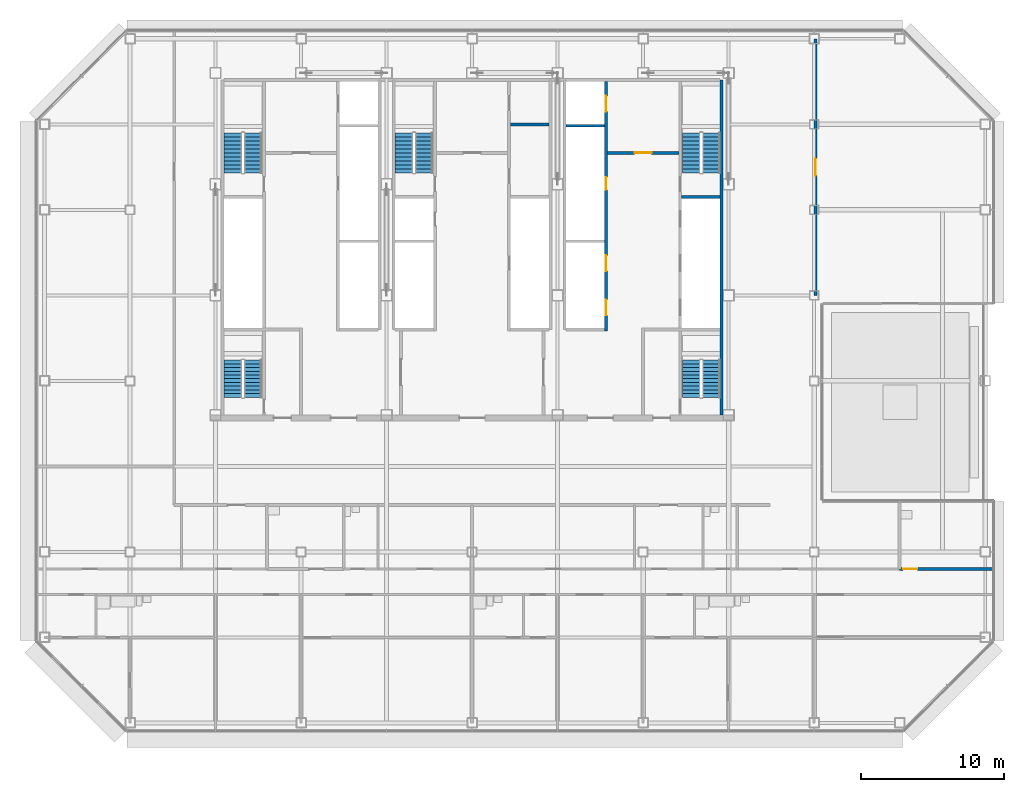
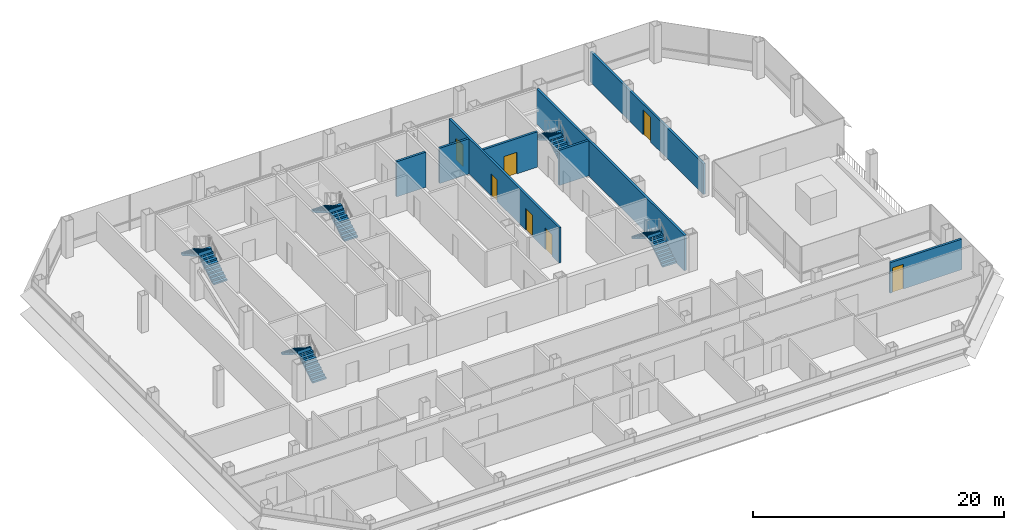
# One storey, part 22 of 27: 10 stair flights, 8 walls, 7 doors, 7 openings, 5 elements without a shape of their own.
"""IFC4 building model written with IfcOpenShell, lengths in metres."""

from ifc_helpers import new_model, si_unit, direction, frame, frame_2d, origin, place, context, subcontext, project, spatial, polyline, rectangle, outline, extrude, material, layer, layer_set, type_object, element, fill, aggregate, save


model = new_model("IFC4")

# Units and contexts
model_context = context("Model", 3, precision=1e-05, world=origin(), true_north=direction((0.0, 1.0)))
body_context = subcontext(model_context, "Body", "Model", "MODEL_VIEW")
ifc_project = project(units=[si_unit("LENGTHUNIT", "METRE"), si_unit("AREAUNIT", "SQUARE_METRE"), si_unit("VOLUMEUNIT", "CUBIC_METRE"), si_unit("PLANEANGLEUNIT", "RADIAN"), si_unit("MASSUNIT", "GRAM", prefix="KILO")], contexts=[model_context])

# Site, building, storey
site_placement = place(None, origin())
site = spatial("IfcSite", under=ifc_project, at=site_placement, CompositionType="ELEMENT")
building_placement = place(site_placement, origin())
building = spatial("IfcBuilding", under=site, at=building_placement, Name="Sorahane Residences", CompositionType="ELEMENT")
storey_placement = place(building_placement, frame((0.0, 0.0, 167.199951171875)))
storey = spatial("IfcBuildingStorey", under=building, at=storey_placement, Name="L38", CompositionType="ELEMENT", Elevation=167.199951171875)

# Wall
ifc_material_1 = material(Name="Concrete C30", Category="concrete")
ifc_layer_1 = layer(ifc_material_1, 0.199951171875)
ifc_layer_set_1 = layer_set([ifc_layer_1], Name="Core face wall 200 EI 180")
wall_type_1 = type_object("IfcWallType", Name="Core face wall 200 EI 180", PredefinedType="SOLIDWALL", material=ifc_layer_set_1)
wall_1_placement = place(storey_placement, frame((41.5, 21.60009765625, 0.0), z_axis=(0.0, 0.0, 1.0), x_axis=(0.0, 1.0, 0.0)))
element("IfcWall", 1, at=wall_1_placement, inside=storey, type_object=wall_type_1, Name="L38 core face wall", PredefinedType="SOLIDWALL", context=body_context, shape_type="SweptSolid", body=[
    extrude(rectangle(XDim=23.5, YDim=0.199951171875, at=frame_2d((11.75, 0.0))), origin(), (0.0, 0.0, 1.0), 3.420166015625),
])

# Wall, opening, door
ifc_material_2 = material(Name="Concrete blockwork C20 wall", Category="masonry")
ifc_layer_2 = layer(ifc_material_2, 0.199951171875)
ifc_layer_set_2 = layer_set([ifc_layer_2], Name="Corridor wall 200 EI 120")
wall_type_2 = type_object("IfcWallType", Name="Corridor wall 200 EI 120", PredefinedType="SOLIDWALL", material=ifc_layer_set_2)
wall_2_placement = place(storey_placement, frame((48.10009765625, 30.0, 0.0), z_axis=(0.0, 0.0, 1.0), x_axis=(0.0, 1.0, 0.0)))
wall_2 = element("IfcWall", 2, at=wall_2_placement, inside=storey, type_object=wall_type_2, Name="L38 corridor wall", PredefinedType="SOLIDWALL", context=body_context, shape_type="SweptSolid", body=[
    extrude(rectangle(XDim=18.0, YDim=0.199951171875, at=frame_2d((9.0, 0.0))), origin(), (0.0, 0.0, 1.0), 2.969970703125),
])
opening_1_placement = place(wall_2_placement, frame((8.39990234375, 0.0, 0.0)))
opening_1 = element("IfcOpeningElement", 3, at=opening_1_placement, cuts=wall_2, Name="Opening L38-31", PredefinedType="OPENING", context=body_context, shape_type="SweptSolid", body=[
    extrude(rectangle(XDim=1.199951171875, YDim=2.39990234375, at=frame_2d((0.60009765625, 1.199951171875))), frame((0.0, 0.10986328125, 0.0), z_axis=(0.0, -1.0, 0.0), x_axis=(1.0, 0.0, 0.0)), (0.0, 0.0, 1.0), 0.219970703125),
])
ifc_material_3 = material(Name="Steel", Category="steel")
door_type_1 = type_object("IfcDoorType", Name="Lobby door 1200x2400 FD60", OperationType="NOTDEFINED", PredefinedType="DOOR", material=ifc_material_3)
door_1_placement = place(opening_1_placement, frame((1.199951171875, 0.0, 0.0), z_axis=(0.0, 0.0, 1.0), x_axis=(-1.0, 0.0, 0.0)))
door_1 = element("IfcDoor", 4, at=door_1_placement, inside=storey, type_object=door_type_1, Name="Lobby door L38-31", OperationType="SINGLE_SWING_LEFT", OverallHeight=2.39990234375, OverallWidth=1.199951171875, PredefinedType="DOOR", context=body_context, shape_type="SweptSolid", body=[
    extrude(rectangle(XDim=1.199951171875, YDim=2.39990234375, at=frame_2d((0.60009765625, 1.199951171875))), frame((0.0, 0.02490234375, 0.0), z_axis=(0.0, -1.0, 0.0), x_axis=(1.0, 0.0, 0.0)), (0.0, 0.0, 1.0), 0.050048828125),
])
fill(opening_1, door_1)

ifc_material_4 = material(Name="Concrete C30", Category="concrete")
ifc_layer_3 = layer(ifc_material_4, 0.199951171875)
ifc_layer_set_3 = layer_set([ifc_layer_3], Name="Front room wall 200 EI 120")
wall_type_3 = type_object("IfcWallType", Name="Front room wall 200 EI 120", PredefinedType="PARTITIONING", material=ifc_layer_set_3)
wall_3_placement = place(storey_placement, frame((33.5, 40.0, 0.0), z_axis=(0.0, 0.0, 1.0), x_axis=(1.0, 0.0, 0.0)))
wall_3 = element("IfcWall", 5, at=wall_3_placement, inside=storey, type_object=wall_type_3, Name="L38 front room wall", PredefinedType="PARTITIONING", context=body_context, shape_type="SweptSolid", body=[
    extrude(rectangle(XDim=5.0, YDim=0.199951171875, at=frame_2d((2.5, 0.0))), origin(), (0.0, 0.0, 1.0), 3.420166015625),
])
opening_2_placement = place(wall_3_placement, frame((1.89990234375, 0.0, 0.0)))
opening_2 = element("IfcOpeningElement", 6, at=opening_2_placement, cuts=wall_3, Name="Opening L38-C10", PredefinedType="OPENING", context=body_context, shape_type="SweptSolid", body=[
    extrude(rectangle(XDim=1.199951171875, YDim=2.10009765625, at=frame_2d((0.60009765625, 1.050048828125))), frame((0.0, 0.10986328125, 0.0), z_axis=(0.0, -1.0, 0.0), x_axis=(1.0, 0.0, 0.0)), (0.0, 0.0, 1.0), 0.219970703125),
])
ifc_material_5 = material(Name="Steel", Category="steel")
door_type_2 = type_object("IfcDoorType", Name="Front room door 1200x2100 FD120", OperationType="NOTDEFINED", PredefinedType="DOOR", material=ifc_material_5)
door_2_placement = place(opening_2_placement, frame((1.199951171875, 0.0, 0.0), z_axis=(0.0, 0.0, 1.0), x_axis=(-1.0, 0.0, 0.0)))
door_2 = element("IfcDoor", 7, at=door_2_placement, inside=storey, type_object=door_type_2, Name="Front room door Firefighting lobby FF2 front room L38", OperationType="DOUBLE_DOOR_SINGLE_SWING", OverallHeight=2.10009765625, OverallWidth=1.199951171875, PredefinedType="DOOR", context=body_context, shape_type="SweptSolid", body=[
    extrude(rectangle(XDim=1.199951171875, YDim=2.10009765625, at=frame_2d((0.60009765625, 1.050048828125))), frame((0.0, 0.02490234375, 0.0), z_axis=(0.0, -1.0, 0.0), x_axis=(1.0, 0.0, 0.0)), (0.0, 0.0, 1.0), 0.050048828125),
])
fill(opening_2, door_2)

ifc_material_6 = material(Name="Concrete blockwork C20 wall", Category="masonry")
ifc_layer_4 = layer(ifc_material_6, 0.199951171875)
ifc_layer_set_4 = layer_set([ifc_layer_4], Name="Kitchen wall 200 EI 180")
wall_type_4 = type_object("IfcWallType", Name="Kitchen wall 200 EI 180", PredefinedType="SOLIDWALL", material=ifc_layer_set_4)
wall_4_placement = place(storey_placement, frame((54.0, 10.800048828125, 0.0), z_axis=(0.0, 0.0, 1.0), x_axis=(1.0, 0.0, 0.0)))
wall_4 = element("IfcWall", 8, at=wall_4_placement, inside=storey, type_object=wall_type_4, Name="L38 kitchen wall", PredefinedType="SOLIDWALL", context=body_context, shape_type="SweptSolid", body=[
    extrude(rectangle(XDim=6.60009765625, YDim=0.199951171875, at=frame_2d((3.300048828125, 0.0))), origin(), (0.0, 0.0, 1.0), 2.969970703125),
])
opening_3_placement = place(wall_4_placement, frame((0.25, 0.0, 0.0)))
opening_3 = element("IfcOpeningElement", 9, at=opening_3_placement, cuts=wall_4, Name="Opening L38-17", PredefinedType="OPENING", context=body_context, shape_type="SweptSolid", body=[
    extrude(rectangle(XDim=1.0, YDim=2.39990234375, at=frame_2d((0.5, 1.199951171875))), frame((0.0, 0.10986328125, 0.0), z_axis=(0.0, -1.0, 0.0), x_axis=(1.0, 0.0, 0.0)), (0.0, 0.0, 1.0), 0.219970703125),
])
ifc_material_7 = material(Name="Steel", Category="steel")
door_type_3 = type_object("IfcDoorType", Name="Kitchen door 1000x2400 FD120", OperationType="NOTDEFINED", PredefinedType="DOOR", material=ifc_material_7)
door_3_placement = place(opening_3_placement, origin())
door_3 = element("IfcDoor", 10, at=door_3_placement, inside=storey, type_object=door_type_3, Name="Kitchen door L38-17", OperationType="SINGLE_SWING_RIGHT", OverallHeight=2.39990234375, OverallWidth=1.0, PredefinedType="DOOR", context=body_context, shape_type="SweptSolid", body=[
    extrude(rectangle(XDim=1.0, YDim=2.39990234375, at=frame_2d((0.5, 1.199951171875))), frame((0.0, 0.02490234375, 0.0), z_axis=(0.0, -1.0, 0.0), x_axis=(1.0, 0.0, 0.0)), (0.0, 0.0, 1.0), 0.050048828125),
])
fill(opening_3, door_3)

# Wall, openings, doors
ifc_material_8 = material(Name="Concrete C30", Category="concrete")
ifc_layer_5 = layer(ifc_material_8, 0.199951171875)
ifc_layer_set_5 = layer_set([ifc_layer_5], Name="Lift shaft wall 200 EI 120")
wall_type_5 = type_object("IfcWallType", Name="Lift shaft wall 200 EI 120", PredefinedType="SOLIDWALL", material=ifc_layer_set_5)
wall_5_placement = place(storey_placement, frame((33.39990234375, 27.5, 0.0), z_axis=(0.0, 0.0, 1.0), x_axis=(0.0, 1.0, 0.0)))
wall_5 = element("IfcWall", 11, at=wall_5_placement, inside=storey, type_object=wall_type_5, Name="L38 lift shaft wall", PredefinedType="SOLIDWALL", context=body_context, shape_type="SweptSolid", body=[
    extrude(rectangle(XDim=17.5, YDim=0.199951171875, at=frame_2d((8.75, 0.0))), origin(), (0.0, 0.0, 1.0), 3.420166015625),
])
opening_4_placement = place(wall_5_placement, frame((1.10009765625, 0.0, 0.0)))
opening_4 = element("IfcOpeningElement", 12, at=opening_4_placement, cuts=wall_5, Name="Opening L38-C14", PredefinedType="OPENING", context=body_context, shape_type="SweptSolid", body=[
    extrude(rectangle(XDim=1.10009765625, YDim=2.10009765625, at=frame_2d((0.550048828125, 1.050048828125))), frame((0.0, 0.10986328125, 0.0), z_axis=(0.0, -1.0, 0.0), x_axis=(1.0, 0.0, 0.0)), (0.0, 0.0, 1.0), 0.219970703125),
])
opening_5_placement = place(wall_5_placement, frame((4.199951171875, 0.0, 0.0)))
opening_5 = element("IfcOpeningElement", 13, at=opening_5_placement, cuts=wall_5, Name="Opening L38-C15", PredefinedType="OPENING", context=body_context, shape_type="SweptSolid", body=[
    extrude(rectangle(XDim=1.10009765625, YDim=2.10009765625, at=frame_2d((0.550048828125, 1.050048828125))), frame((0.0, 0.10986328125, 0.0), z_axis=(0.0, -1.0, 0.0), x_axis=(1.0, 0.0, 0.0)), (0.0, 0.0, 1.0), 0.219970703125),
])
opening_6_placement = place(wall_5_placement, frame((15.39990234375, 0.0, 0.0)))
opening_6 = element("IfcOpeningElement", 14, at=opening_6_placement, cuts=wall_5, Name="Opening L38-C16", PredefinedType="OPENING", context=body_context, shape_type="SweptSolid", body=[
    extrude(rectangle(XDim=1.10009765625, YDim=2.10009765625, at=frame_2d((0.550048828125, 1.050048828125))), frame((0.0, 0.10986328125, 0.0), z_axis=(0.0, -1.0, 0.0), x_axis=(1.0, 0.0, 0.0)), (0.0, 0.0, 1.0), 0.219970703125),
])
opening_7_placement = place(wall_5_placement, frame((9.89990234375, 0.0, 0.0)))
opening_7 = element("IfcOpeningElement", 15, at=opening_7_placement, cuts=wall_5, Name="Opening L38-C24", PredefinedType="OPENING", context=body_context, shape_type="SweptSolid", body=[
    extrude(rectangle(XDim=0.89990234375, YDim=2.10009765625, at=frame_2d((0.449951171875, 1.050048828125))), frame((0.0, 0.10986328125, 0.0), z_axis=(0.0, -1.0, 0.0), x_axis=(1.0, 0.0, 0.0)), (0.0, 0.0, 1.0), 0.219970703125),
])
ifc_material_9 = material(Name="Aluminium and stainless steel", Category="steel")
door_type_4 = type_object("IfcDoorType", Name="Lift landing door 1100x2100 E 60", OperationType="NOTDEFINED", PredefinedType="DOOR", material=ifc_material_9)
door_4_placement = place(opening_4_placement, origin())
door_4 = element("IfcDoor", 16, at=door_4_placement, inside=storey, type_object=door_type_4, Name="Lift landing door HR4 L38", OperationType="DOUBLE_DOOR_SLIDING", OverallHeight=2.10009765625, OverallWidth=1.10009765625, PredefinedType="DOOR", context=body_context, shape_type="SweptSolid", body=[
    extrude(rectangle(XDim=1.10009765625, YDim=2.10009765625, at=frame_2d((0.550048828125, 1.050048828125))), frame((0.0, 0.02490234375, 0.0), z_axis=(0.0, -1.0, 0.0), x_axis=(1.0, 0.0, 0.0)), (0.0, 0.0, 1.0), 0.050048828125),
])
fill(opening_4, door_4)
door_5_placement = place(opening_5_placement, origin())
door_5 = element("IfcDoor", 17, at=door_5_placement, inside=storey, type_object=door_type_4, Name="Lift landing door HR5 L38", OperationType="DOUBLE_DOOR_SLIDING", OverallHeight=2.10009765625, OverallWidth=1.10009765625, PredefinedType="DOOR", context=body_context, shape_type="SweptSolid", body=[
    extrude(rectangle(XDim=1.10009765625, YDim=2.10009765625, at=frame_2d((0.550048828125, 1.050048828125))), frame((0.0, 0.02490234375, 0.0), z_axis=(0.0, -1.0, 0.0), x_axis=(1.0, 0.0, 0.0)), (0.0, 0.0, 1.0), 0.050048828125),
])
fill(opening_5, door_5)
door_6_placement = place(opening_6_placement, origin())
door_6 = element("IfcDoor", 18, at=door_6_placement, inside=storey, type_object=door_type_4, Name="Lift landing door FF2 L38", OperationType="DOUBLE_DOOR_SLIDING", OverallHeight=2.10009765625, OverallWidth=1.10009765625, PredefinedType="DOOR", context=body_context, shape_type="SweptSolid", body=[
    extrude(rectangle(XDim=1.10009765625, YDim=2.10009765625, at=frame_2d((0.550048828125, 1.050048828125))), frame((0.0, 0.02490234375, 0.0), z_axis=(0.0, -1.0, 0.0), x_axis=(1.0, 0.0, 0.0)), (0.0, 0.0, 1.0), 0.050048828125),
])
fill(opening_6, door_6)
ifc_material_10 = material(Name="Steel", Category="steel")
door_type_5 = type_object("IfcDoorType", Name="Riser door 900x2100 FD120", OperationType="NOTDEFINED", PredefinedType="DOOR", material=ifc_material_10)
door_7_placement = place(opening_7_placement, frame((0.89990234375, 0.0, 0.0), z_axis=(0.0, 0.0, 1.0), x_axis=(-1.0, 0.0, 0.0)))
door_7 = element("IfcDoor", 19, at=door_7_placement, inside=storey, type_object=door_type_5, Name="Riser door R2 L38", OperationType="SINGLE_SWING_LEFT", OverallHeight=2.10009765625, OverallWidth=0.89990234375, PredefinedType="DOOR", context=body_context, shape_type="SweptSolid", body=[
    extrude(rectangle(XDim=0.89990234375, YDim=2.10009765625, at=frame_2d((0.449951171875, 1.050048828125))), frame((0.0, 0.02490234375, 0.0), z_axis=(0.0, -1.0, 0.0), x_axis=(1.0, 0.0, 0.0)), (0.0, 0.0, 1.0), 0.050048828125),
])
fill(opening_7, door_7)

# Walls
wall_6_placement = place(storey_placement, frame((30.60009765625, 41.89990234375, 0.0), z_axis=(0.0, 0.0, 1.0), x_axis=(1.0, 0.0, 0.0)))
element("IfcWall", 20, at=wall_6_placement, inside=storey, type_object=wall_type_5, Name="L38 lift shaft wall", PredefinedType="SOLIDWALL", context=body_context, shape_type="SweptSolid", body=[
    extrude(rectangle(XDim=2.699951171875, YDim=0.199951171875, at=frame_2d((1.35009765625, 0.0))), origin(), (0.0, 0.0, 1.0), 3.420166015625),
])
ifc_material_11 = material(Name="Concrete C30", Category="concrete")
ifc_layer_6 = layer(ifc_material_11, 0.199951171875)
ifc_layer_set_6 = layer_set([ifc_layer_6], Name="Service room partition 200 EI 60")
wall_type_6 = type_object("IfcWallType", Name="Service room partition 200 EI 60", PredefinedType="PARTITIONING", material=ifc_layer_set_6)
wall_7_placement = place(storey_placement, frame((26.699951171875, 42.0, 0.0), z_axis=(0.0, 0.0, 1.0), x_axis=(1.0, 0.0, 0.0)))
element("IfcWall", 21, at=wall_7_placement, inside=storey, type_object=wall_type_6, Name="L38 service room wall", PredefinedType="PARTITIONING", context=body_context, shape_type="SweptSolid", body=[
    extrude(rectangle(XDim=2.699951171875, YDim=0.199951171875, at=frame_2d((1.35009765625, 0.0))), origin(), (0.0, 0.0, 1.0), 3.420166015625),
])
ifc_material_12 = material(Name="Concrete C30", Category="concrete")
ifc_layer_7 = layer(ifc_material_12, 0.199951171875)
ifc_layer_set_7 = layer_set([ifc_layer_7], Name="Stair enclosure wall 200 EI 120")
wall_type_7 = type_object("IfcWallType", Name="Stair enclosure wall 200 EI 120", PredefinedType="SOLIDWALL", material=ifc_layer_set_7)
wall_8_placement = place(storey_placement, frame((38.699951171875, 36.89990234375, 0.0), z_axis=(0.0, 0.0, 1.0), x_axis=(1.0, 0.0, 0.0)))
element("IfcWall", 22, at=wall_8_placement, inside=storey, type_object=wall_type_7, Name="L38 stair enclosure wall", PredefinedType="SOLIDWALL", context=body_context, shape_type="SweptSolid", body=[
    extrude(rectangle(XDim=2.699951171875, YDim=0.199951171875, at=frame_2d((1.35009765625, 0.0))), origin(), (0.0, 0.0, 1.0), 3.420166015625),
])

# Stair, stair flights
ifc_material_13 = material(Name="Concrete C40", Category="concrete")
stair_type = type_object("IfcStairType", Name="Dog-leg stair 1250 Concrete C40", PredefinedType="HALF_TURN_STAIR", material=ifc_material_13)
stair_1_placement = place(storey_placement, origin())
stair_1 = element("IfcStair", 23, at=stair_1_placement, inside=storey, type_object=stair_type, Name="L38 Stair S1", PredefinedType="HALF_TURN_STAIR")
ifc_material_14 = material(Name="Concrete C40", Category="concrete")
stair_flight_type = type_object("IfcStairFlightType", Name="Stair flight 1250 Concrete C40", PredefinedType="STRAIGHT", material=ifc_material_14)
stair_flight_1_placement = place(storey_placement, frame((8.625, 38.60009765625, 0.0), z_axis=(0.0, 0.0, 1.0), x_axis=(0.0, 1.0, 0.0)))
stair_flight_1 = element("IfcStairFlight", 24, at=stair_flight_1_placement, type_object=stair_flight_type, Name="S1 flight 1", NumberOfRisers=11, NumberOfTreads=10, PredefinedType="STRAIGHT", RiserHeight=0.163636364, TreadLength=0.28, context=body_context, shape_type="SweptSolid", body=[
    extrude(outline(polyline([(-0.00146484375, 0.0), (-0.00146484375, 0.16357421875), (0.0, 0.16357421875), (0.280029296875, 0.16357421875), (0.280029296875, 0.327392578125), (0.56005859375, 0.327392578125), (0.56005859375, 0.490966796875), (0.840087890625, 0.490966796875), (0.840087890625, 0.654541015625), (1.1201171875, 0.654541015625), (1.1201171875, 0.818115234375), (1.39990234375, 0.818115234375), (1.39990234375, 0.98193359375), (1.679931640625, 0.98193359375), (1.679931640625, 1.1455078125), (1.9599609375, 1.1455078125), (1.9599609375, 1.30908203125), (2.239990234375, 1.30908203125), (2.239990234375, 1.47265625), (2.52001953125, 1.47265625), (2.52001953125, 1.636474609375), (2.800048828125, 1.636474609375), (2.800048828125, 1.800048828125), (2.800048828125, 1.462646484375), (2.59130859375, 1.3408203125), (2.3828125, 1.218994140625), (2.17431640625, 1.09716796875), (1.965576171875, 0.97509765625), (1.757080078125, 0.853271484375), (1.548583984375, 0.7314453125), (1.340087890625, 0.609375), (1.13134765625, 0.487548828125), (0.9228515625, 0.36572265625), (0.71435546875, 0.243896484375), (0.505615234375, 0.121826171875), (0.297119140625, 0.0), (-0.00146484375, 0.0)])), frame((0.0, 0.625, 0.0), z_axis=(0.0, -1.0, 0.0), x_axis=(1.0, 0.0, 0.0)), (0.0, 0.0, 1.0), 1.25),
])
stair_flight_2_placement = place(storey_placement, frame((7.22509765625, 41.39990234375, 1.800048828125), z_axis=(0.0, 0.0, 1.0), x_axis=(0.0, -1.0, 0.0)))
stair_flight_2 = element("IfcStairFlight", 25, at=stair_flight_2_placement, type_object=stair_flight_type, Name="S1 flight 2", NumberOfRisers=11, NumberOfTreads=10, PredefinedType="STRAIGHT", RiserHeight=0.163636364, TreadLength=0.28, context=body_context, shape_type="SweptSolid", body=[
    extrude(outline(polyline([(0.0, 0.0), (0.0, 0.16357421875), (0.280029296875, 0.16357421875), (0.280029296875, 0.327392578125), (0.56005859375, 0.327392578125), (0.56005859375, 0.490966796875), (0.840087890625, 0.490966796875), (0.840087890625, 0.654541015625), (1.1201171875, 0.654541015625), (1.1201171875, 0.818115234375), (1.39990234375, 0.818115234375), (1.39990234375, 0.98193359375), (1.679931640625, 0.98193359375), (1.679931640625, 1.1455078125), (1.9599609375, 1.1455078125), (1.9599609375, 1.30908203125), (2.239990234375, 1.30908203125), (2.239990234375, 1.47265625), (2.52001953125, 1.47265625), (2.52001953125, 1.636474609375), (2.800048828125, 1.636474609375), (2.800048828125, 1.800048828125), (2.801513671875, 1.800048828125), (2.801513671875, 1.462646484375), (2.5927734375, 1.3408203125), (2.384033203125, 1.218994140625), (2.17529296875, 1.09716796875), (1.966796875, 0.97509765625), (1.758056640625, 0.853271484375), (1.54931640625, 0.7314453125), (1.340576171875, 0.609375), (1.1318359375, 0.487548828125), (0.923095703125, 0.36572265625), (0.714599609375, 0.243896484375), (0.505859375, 0.121826171875), (0.297119140625, 0.0), (0.0, 0.0)])), frame((0.0, 0.625, 0.0), z_axis=(0.0, -1.0, 0.0), x_axis=(1.0, 0.0, 0.0)), (0.0, 0.0, 1.0), 1.25),
])
aggregate(stair_1, [stair_flight_1, stair_flight_2])

stair_2_placement = place(storey_placement, origin())
stair_2 = element("IfcStair", 26, at=stair_2_placement, inside=storey, type_object=stair_type, Name="L38 Stair S2", PredefinedType="HALF_TURN_STAIR")
stair_flight_3_placement = place(storey_placement, frame((40.77490234375, 38.60009765625, 0.0), z_axis=(0.0, 0.0, 1.0), x_axis=(0.0, 1.0, 0.0)))
stair_flight_3 = element("IfcStairFlight", 27, at=stair_flight_3_placement, type_object=stair_flight_type, Name="S2 flight 1", NumberOfRisers=11, NumberOfTreads=10, PredefinedType="STRAIGHT", RiserHeight=0.163636364, TreadLength=0.28, context=body_context, shape_type="SweptSolid", body=[
    extrude(outline(polyline([(-0.00146484375, 0.0), (-0.00146484375, 0.16357421875), (0.0, 0.16357421875), (0.280029296875, 0.16357421875), (0.280029296875, 0.327392578125), (0.56005859375, 0.327392578125), (0.56005859375, 0.490966796875), (0.840087890625, 0.490966796875), (0.840087890625, 0.654541015625), (1.1201171875, 0.654541015625), (1.1201171875, 0.818115234375), (1.39990234375, 0.818115234375), (1.39990234375, 0.98193359375), (1.679931640625, 0.98193359375), (1.679931640625, 1.1455078125), (1.9599609375, 1.1455078125), (1.9599609375, 1.30908203125), (2.239990234375, 1.30908203125), (2.239990234375, 1.47265625), (2.52001953125, 1.47265625), (2.52001953125, 1.636474609375), (2.800048828125, 1.636474609375), (2.800048828125, 1.800048828125), (2.800048828125, 1.462646484375), (2.59130859375, 1.3408203125), (2.3828125, 1.218994140625), (2.17431640625, 1.09716796875), (1.965576171875, 0.97509765625), (1.757080078125, 0.853271484375), (1.548583984375, 0.7314453125), (1.340087890625, 0.609375), (1.13134765625, 0.487548828125), (0.9228515625, 0.36572265625), (0.71435546875, 0.243896484375), (0.505615234375, 0.121826171875), (0.297119140625, 0.0), (-0.00146484375, 0.0)])), frame((0.0, 0.625, 0.0), z_axis=(0.0, -1.0, 0.0), x_axis=(1.0, 0.0, 0.0)), (0.0, 0.0, 1.0), 1.25),
])
stair_flight_4_placement = place(storey_placement, frame((39.375, 41.39990234375, 1.800048828125), z_axis=(0.0, 0.0, 1.0), x_axis=(0.0, -1.0, 0.0)))
stair_flight_4 = element("IfcStairFlight", 28, at=stair_flight_4_placement, type_object=stair_flight_type, Name="S2 flight 2", NumberOfRisers=11, NumberOfTreads=10, PredefinedType="STRAIGHT", RiserHeight=0.163636364, TreadLength=0.28, context=body_context, shape_type="SweptSolid", body=[
    extrude(outline(polyline([(0.0, 0.0), (0.0, 0.16357421875), (0.280029296875, 0.16357421875), (0.280029296875, 0.327392578125), (0.56005859375, 0.327392578125), (0.56005859375, 0.490966796875), (0.840087890625, 0.490966796875), (0.840087890625, 0.654541015625), (1.1201171875, 0.654541015625), (1.1201171875, 0.818115234375), (1.39990234375, 0.818115234375), (1.39990234375, 0.98193359375), (1.679931640625, 0.98193359375), (1.679931640625, 1.1455078125), (1.9599609375, 1.1455078125), (1.9599609375, 1.30908203125), (2.239990234375, 1.30908203125), (2.239990234375, 1.47265625), (2.52001953125, 1.47265625), (2.52001953125, 1.636474609375), (2.800048828125, 1.636474609375), (2.800048828125, 1.800048828125), (2.801513671875, 1.800048828125), (2.801513671875, 1.462646484375), (2.5927734375, 1.3408203125), (2.384033203125, 1.218994140625), (2.17529296875, 1.09716796875), (1.966796875, 0.97509765625), (1.758056640625, 0.853271484375), (1.54931640625, 0.7314453125), (1.340576171875, 0.609375), (1.1318359375, 0.487548828125), (0.923095703125, 0.36572265625), (0.714599609375, 0.243896484375), (0.505859375, 0.121826171875), (0.297119140625, 0.0), (0.0, 0.0)])), frame((0.0, 0.625, 0.0), z_axis=(0.0, -1.0, 0.0), x_axis=(1.0, 0.0, 0.0)), (0.0, 0.0, 1.0), 1.25),
])
aggregate(stair_2, [stair_flight_3, stair_flight_4])

stair_3_placement = place(storey_placement, origin())
stair_3 = element("IfcStair", 29, at=stair_3_placement, inside=storey, type_object=stair_type, Name="L38 Stair S3", PredefinedType="HALF_TURN_STAIR")
stair_flight_5_placement = place(storey_placement, frame((20.625, 38.60009765625, 0.0), z_axis=(0.0, 0.0, 1.0), x_axis=(0.0, 1.0, 0.0)))
stair_flight_5 = element("IfcStairFlight", 30, at=stair_flight_5_placement, type_object=stair_flight_type, Name="S3 flight 1", NumberOfRisers=11, NumberOfTreads=10, PredefinedType="STRAIGHT", RiserHeight=0.163636364, TreadLength=0.28, context=body_context, shape_type="SweptSolid", body=[
    extrude(outline(polyline([(-0.00146484375, 0.0), (-0.00146484375, 0.16357421875), (0.0, 0.16357421875), (0.280029296875, 0.16357421875), (0.280029296875, 0.327392578125), (0.56005859375, 0.327392578125), (0.56005859375, 0.490966796875), (0.840087890625, 0.490966796875), (0.840087890625, 0.654541015625), (1.1201171875, 0.654541015625), (1.1201171875, 0.818115234375), (1.39990234375, 0.818115234375), (1.39990234375, 0.98193359375), (1.679931640625, 0.98193359375), (1.679931640625, 1.1455078125), (1.9599609375, 1.1455078125), (1.9599609375, 1.30908203125), (2.239990234375, 1.30908203125), (2.239990234375, 1.47265625), (2.52001953125, 1.47265625), (2.52001953125, 1.636474609375), (2.800048828125, 1.636474609375), (2.800048828125, 1.800048828125), (2.800048828125, 1.462646484375), (2.59130859375, 1.3408203125), (2.3828125, 1.218994140625), (2.17431640625, 1.09716796875), (1.965576171875, 0.97509765625), (1.757080078125, 0.853271484375), (1.548583984375, 0.7314453125), (1.340087890625, 0.609375), (1.13134765625, 0.487548828125), (0.9228515625, 0.36572265625), (0.71435546875, 0.243896484375), (0.505615234375, 0.121826171875), (0.297119140625, 0.0), (-0.00146484375, 0.0)])), frame((0.0, 0.625, 0.0), z_axis=(0.0, -1.0, 0.0), x_axis=(1.0, 0.0, 0.0)), (0.0, 0.0, 1.0), 1.25),
])
stair_flight_6_placement = place(storey_placement, frame((19.22509765625, 41.39990234375, 1.800048828125), z_axis=(0.0, 0.0, 1.0), x_axis=(0.0, -1.0, 0.0)))
stair_flight_6 = element("IfcStairFlight", 31, at=stair_flight_6_placement, type_object=stair_flight_type, Name="S3 flight 2", NumberOfRisers=11, NumberOfTreads=10, PredefinedType="STRAIGHT", RiserHeight=0.163636364, TreadLength=0.28, context=body_context, shape_type="SweptSolid", body=[
    extrude(outline(polyline([(0.0, 0.0), (0.0, 0.16357421875), (0.280029296875, 0.16357421875), (0.280029296875, 0.327392578125), (0.56005859375, 0.327392578125), (0.56005859375, 0.490966796875), (0.840087890625, 0.490966796875), (0.840087890625, 0.654541015625), (1.1201171875, 0.654541015625), (1.1201171875, 0.818115234375), (1.39990234375, 0.818115234375), (1.39990234375, 0.98193359375), (1.679931640625, 0.98193359375), (1.679931640625, 1.1455078125), (1.9599609375, 1.1455078125), (1.9599609375, 1.30908203125), (2.239990234375, 1.30908203125), (2.239990234375, 1.47265625), (2.52001953125, 1.47265625), (2.52001953125, 1.636474609375), (2.800048828125, 1.636474609375), (2.800048828125, 1.800048828125), (2.801513671875, 1.800048828125), (2.801513671875, 1.462646484375), (2.5927734375, 1.3408203125), (2.384033203125, 1.218994140625), (2.17529296875, 1.09716796875), (1.966796875, 0.97509765625), (1.758056640625, 0.853271484375), (1.54931640625, 0.7314453125), (1.340576171875, 0.609375), (1.1318359375, 0.487548828125), (0.923095703125, 0.36572265625), (0.714599609375, 0.243896484375), (0.505859375, 0.121826171875), (0.297119140625, 0.0), (0.0, 0.0)])), frame((0.0, 0.625, 0.0), z_axis=(0.0, -1.0, 0.0), x_axis=(1.0, 0.0, 0.0)), (0.0, 0.0, 1.0), 1.25),
])
aggregate(stair_3, [stair_flight_5, stair_flight_6])

stair_4_placement = place(storey_placement, origin())
stair_4 = element("IfcStair", 32, at=stair_4_placement, inside=storey, type_object=stair_type, Name="L38 Stair S4", PredefinedType="HALF_TURN_STAIR")
stair_flight_7_placement = place(storey_placement, frame((8.625, 22.85009765625, 0.0), z_axis=(0.0, 0.0, 1.0), x_axis=(0.0, 1.0, 0.0)))
stair_flight_7 = element("IfcStairFlight", 33, at=stair_flight_7_placement, type_object=stair_flight_type, Name="S4 flight 1", NumberOfRisers=11, NumberOfTreads=10, PredefinedType="STRAIGHT", RiserHeight=0.163636364, TreadLength=0.26, context=body_context, shape_type="SweptSolid", body=[
    extrude(outline(polyline([(-0.00146484375, 0.0), (-0.00146484375, 0.16357421875), (0.0, 0.16357421875), (0.260009765625, 0.16357421875), (0.260009765625, 0.327392578125), (0.52001953125, 0.327392578125), (0.52001953125, 0.490966796875), (0.780029296875, 0.490966796875), (0.780029296875, 0.654541015625), (1.0400390625, 0.654541015625), (1.0400390625, 0.818115234375), (1.300048828125, 0.818115234375), (1.300048828125, 0.98193359375), (1.56005859375, 0.98193359375), (1.56005859375, 1.1455078125), (1.820068359375, 1.1455078125), (1.820068359375, 1.30908203125), (2.080078125, 1.30908203125), (2.080078125, 1.47265625), (2.340087890625, 1.47265625), (2.340087890625, 1.636474609375), (2.60009765625, 1.636474609375), (2.60009765625, 1.800048828125), (2.60009765625, 1.494384765625), (2.402099609375, 1.369873046875), (2.204345703125, 1.245361328125), (2.00634765625, 1.120849609375), (1.80859375, 0.996337890625), (1.610595703125, 0.871826171875), (1.412841796875, 0.747314453125), (1.21484375, 0.622802734375), (1.01708984375, 0.498046875), (0.819091796875, 0.37353515625), (0.621337890625, 0.2490234375), (0.42333984375, 0.12451171875), (0.2255859375, 0.0), (-0.00146484375, 0.0)])), frame((0.0, 0.625, 0.0), z_axis=(0.0, -1.0, 0.0), x_axis=(1.0, 0.0, 0.0)), (0.0, 0.0, 1.0), 1.25),
])
stair_flight_8_placement = place(storey_placement, frame((7.22509765625, 25.449951171875, 1.800048828125), z_axis=(0.0, 0.0, 1.0), x_axis=(0.0, -1.0, 0.0)))
stair_flight_8 = element("IfcStairFlight", 34, at=stair_flight_8_placement, type_object=stair_flight_type, Name="S4 flight 2", NumberOfRisers=11, NumberOfTreads=10, PredefinedType="STRAIGHT", RiserHeight=0.163636364, TreadLength=0.26, context=body_context, shape_type="SweptSolid", body=[
    extrude(outline(polyline([(0.0, 0.0), (0.0, 0.16357421875), (0.260009765625, 0.16357421875), (0.260009765625, 0.327392578125), (0.52001953125, 0.327392578125), (0.52001953125, 0.490966796875), (0.780029296875, 0.490966796875), (0.780029296875, 0.654541015625), (1.0400390625, 0.654541015625), (1.0400390625, 0.818115234375), (1.300048828125, 0.818115234375), (1.300048828125, 0.98193359375), (1.56005859375, 0.98193359375), (1.56005859375, 1.1455078125), (1.820068359375, 1.1455078125), (1.820068359375, 1.30908203125), (2.080078125, 1.30908203125), (2.080078125, 1.47265625), (2.340087890625, 1.47265625), (2.340087890625, 1.636474609375), (2.60009765625, 1.636474609375), (2.60009765625, 1.800048828125), (2.6015625, 1.800048828125), (2.6015625, 1.494384765625), (2.403564453125, 1.369873046875), (2.20556640625, 1.245361328125), (2.007568359375, 1.120849609375), (1.8095703125, 0.996337890625), (1.611572265625, 0.871826171875), (1.41357421875, 0.747314453125), (1.215576171875, 0.622802734375), (1.017578125, 0.498046875), (0.819580078125, 0.37353515625), (0.62158203125, 0.2490234375), (0.423583984375, 0.12451171875), (0.2255859375, 0.0), (0.0, 0.0)])), frame((0.0, 0.625, 0.0), z_axis=(0.0, -1.0, 0.0), x_axis=(1.0, 0.0, 0.0)), (0.0, 0.0, 1.0), 1.25),
])
aggregate(stair_4, [stair_flight_7, stair_flight_8])

stair_5_placement = place(storey_placement, origin())
stair_5 = element("IfcStair", 35, at=stair_5_placement, inside=storey, type_object=stair_type, Name="L38 Stair S5", PredefinedType="HALF_TURN_STAIR")
stair_flight_9_placement = place(storey_placement, frame((40.77490234375, 22.85009765625, 0.0), z_axis=(0.0, 0.0, 1.0), x_axis=(0.0, 1.0, 0.0)))
stair_flight_9 = element("IfcStairFlight", 36, at=stair_flight_9_placement, type_object=stair_flight_type, Name="S5 flight 1", NumberOfRisers=11, NumberOfTreads=10, PredefinedType="STRAIGHT", RiserHeight=0.163636364, TreadLength=0.26, context=body_context, shape_type="SweptSolid", body=[
    extrude(outline(polyline([(-0.00146484375, 0.0), (-0.00146484375, 0.16357421875), (0.0, 0.16357421875), (0.260009765625, 0.16357421875), (0.260009765625, 0.327392578125), (0.52001953125, 0.327392578125), (0.52001953125, 0.490966796875), (0.780029296875, 0.490966796875), (0.780029296875, 0.654541015625), (1.0400390625, 0.654541015625), (1.0400390625, 0.818115234375), (1.300048828125, 0.818115234375), (1.300048828125, 0.98193359375), (1.56005859375, 0.98193359375), (1.56005859375, 1.1455078125), (1.820068359375, 1.1455078125), (1.820068359375, 1.30908203125), (2.080078125, 1.30908203125), (2.080078125, 1.47265625), (2.340087890625, 1.47265625), (2.340087890625, 1.636474609375), (2.60009765625, 1.636474609375), (2.60009765625, 1.800048828125), (2.60009765625, 1.494384765625), (2.402099609375, 1.369873046875), (2.204345703125, 1.245361328125), (2.00634765625, 1.120849609375), (1.80859375, 0.996337890625), (1.610595703125, 0.871826171875), (1.412841796875, 0.747314453125), (1.21484375, 0.622802734375), (1.01708984375, 0.498046875), (0.819091796875, 0.37353515625), (0.621337890625, 0.2490234375), (0.42333984375, 0.12451171875), (0.2255859375, 0.0), (-0.00146484375, 0.0)])), frame((0.0, 0.625, 0.0), z_axis=(0.0, -1.0, 0.0), x_axis=(1.0, 0.0, 0.0)), (0.0, 0.0, 1.0), 1.25),
])
stair_flight_10_placement = place(storey_placement, frame((39.375, 25.449951171875, 1.800048828125), z_axis=(0.0, 0.0, 1.0), x_axis=(0.0, -1.0, 0.0)))
stair_flight_10 = element("IfcStairFlight", 37, at=stair_flight_10_placement, type_object=stair_flight_type, Name="S5 flight 2", NumberOfRisers=11, NumberOfTreads=10, PredefinedType="STRAIGHT", RiserHeight=0.163636364, TreadLength=0.26, context=body_context, shape_type="SweptSolid", body=[
    extrude(outline(polyline([(0.0, 0.0), (0.0, 0.16357421875), (0.260009765625, 0.16357421875), (0.260009765625, 0.327392578125), (0.52001953125, 0.327392578125), (0.52001953125, 0.490966796875), (0.780029296875, 0.490966796875), (0.780029296875, 0.654541015625), (1.0400390625, 0.654541015625), (1.0400390625, 0.818115234375), (1.300048828125, 0.818115234375), (1.300048828125, 0.98193359375), (1.56005859375, 0.98193359375), (1.56005859375, 1.1455078125), (1.820068359375, 1.1455078125), (1.820068359375, 1.30908203125), (2.080078125, 1.30908203125), (2.080078125, 1.47265625), (2.340087890625, 1.47265625), (2.340087890625, 1.636474609375), (2.60009765625, 1.636474609375), (2.60009765625, 1.800048828125), (2.6015625, 1.800048828125), (2.6015625, 1.494384765625), (2.403564453125, 1.369873046875), (2.20556640625, 1.245361328125), (2.007568359375, 1.120849609375), (1.8095703125, 0.996337890625), (1.611572265625, 0.871826171875), (1.41357421875, 0.747314453125), (1.215576171875, 0.622802734375), (1.017578125, 0.498046875), (0.819580078125, 0.37353515625), (0.62158203125, 0.2490234375), (0.423583984375, 0.12451171875), (0.2255859375, 0.0), (0.0, 0.0)])), frame((0.0, 0.625, 0.0), z_axis=(0.0, -1.0, 0.0), x_axis=(1.0, 0.0, 0.0)), (0.0, 0.0, 1.0), 1.25),
])
aggregate(stair_5, [stair_flight_9, stair_flight_10])

save(model, "model.ifc")
